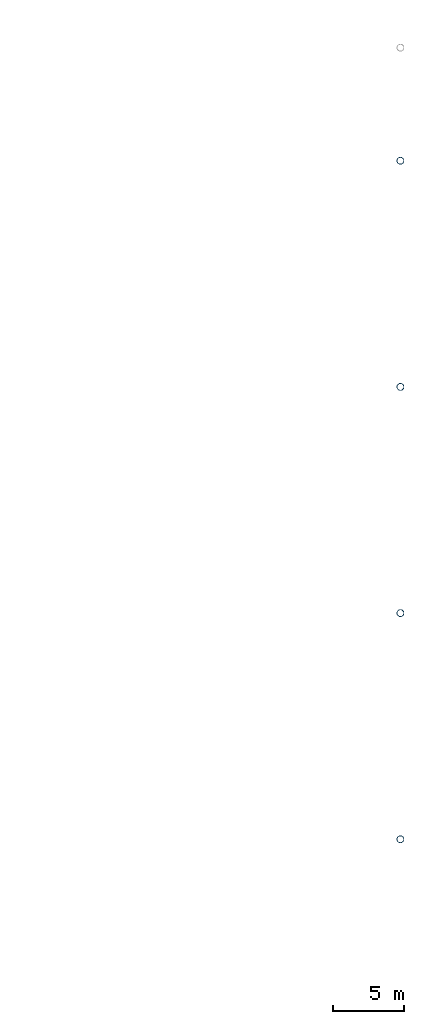
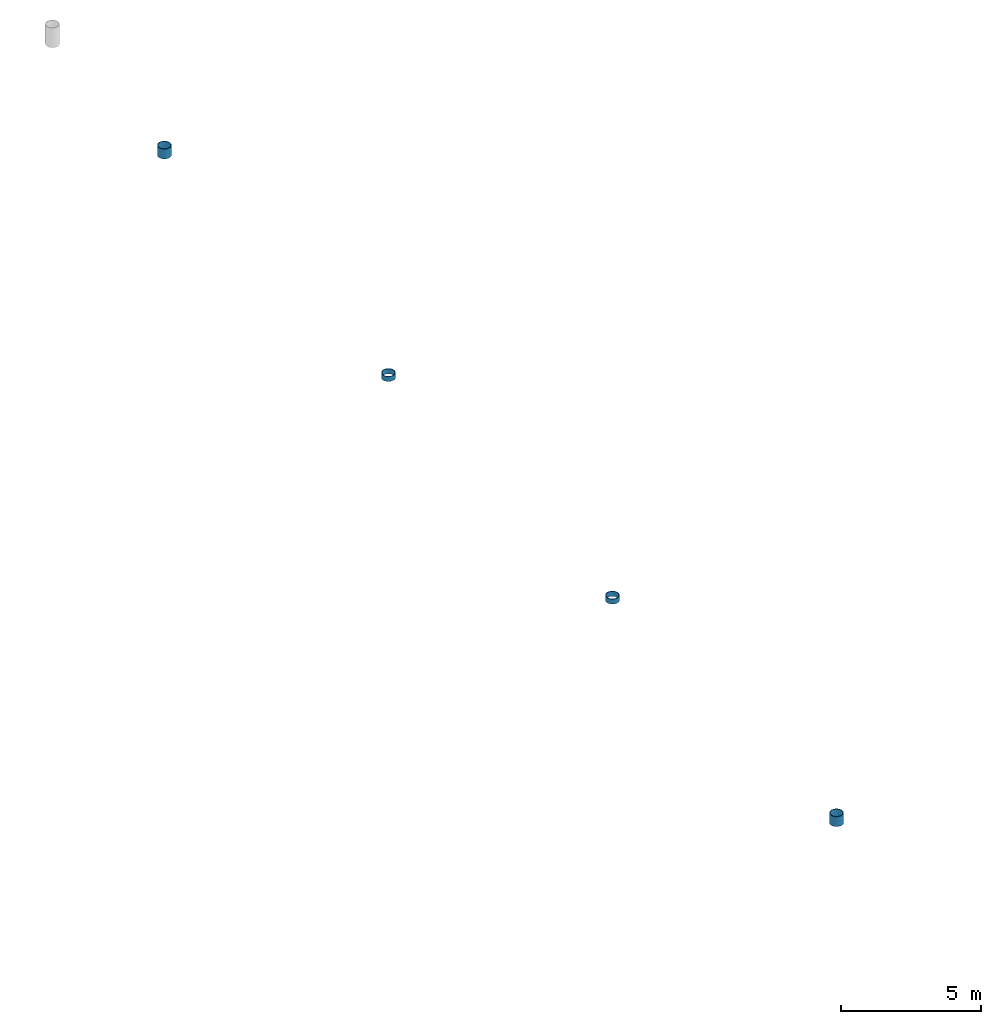
# One storey, part 12 of 41: 4 columns.
"""IFC4 building model written with IfcOpenShell, lengths in metres."""

from ifc_helpers import new_model, si_unit, direction, frame, origin, origin_2d, place, context, subcontext, project, spatial, hollow_circle, extrude, material, material_profile, profile_set, type_object, element, save


model = new_model("IFC4")

# Units and contexts
model_context = context("Model", 3, precision=1e-05, world=origin(), true_north=direction((0.0, 1.0)))
body_context = subcontext(model_context, "Body", "Model", "MODEL_VIEW")
ifc_project = project(units=[si_unit("LENGTHUNIT", "METRE"), si_unit("AREAUNIT", "SQUARE_METRE"), si_unit("VOLUMEUNIT", "CUBIC_METRE"), si_unit("PLANEANGLEUNIT", "RADIAN"), si_unit("MASSUNIT", "GRAM", prefix="KILO")], contexts=[model_context])

# Site, building, storey
site_placement = place(None, origin())
site = spatial("IfcSite", under=ifc_project, at=site_placement, CompositionType="ELEMENT")
building_placement = place(site_placement, origin())
building = spatial("IfcBuilding", under=site, at=building_placement, Name="Haebicheon Civic Stadium", CompositionType="ELEMENT")
storey_placement = place(building_placement, frame((0.0, 0.0, 27.0)))
storey = spatial("IfcBuildingStorey", under=building, at=storey_placement, Name="L07", CompositionType="ELEMENT", Elevation=27.0)

# Columns
ifc_material = material(Name="White painted steel SM490", Category="steel")
ifc_material_profile = material_profile(ifc_material, hollow_circle(Radius=0.25390625, WallThickness=0.02490234375, at=origin_2d()), Name="CHS-508.0x25.0")
ifc_profile_set = profile_set([ifc_material_profile], Name="White painted steel SM490")
column_type = type_object("IfcColumnType", Name="COL-ST-CHS508", PredefinedType="COLUMN", material=ifc_profile_set)
column_1_placement = place(storey_placement, frame((192.0, 72.0, 0.0), z_axis=(0.0, 0.0, 1.0), x_axis=(1.0, 0.0, 0.0)))
element("IfcColumn", 1, at=column_1_placement, inside=storey, type_object=column_type, material=ifc_profile_set, Name="Bowl/canopy support column 192/72 (L07)", PredefinedType="COLUMN", context=body_context, shape_type="SweptSolid", body=[
    extrude(hollow_circle(Radius=0.25390625, WallThickness=0.02490234375, at=origin_2d()), origin(), (0.0, 0.0, 1.0), 0.429931640625),
])
for number, where, z_axis, x_axis, name in (
    (2, (192.0, 88.0, 0.0), (0.0, 0.0, 1.0), (1.0, 0.0, 0.0), "Bowl/canopy support column 192/88 (L07)"),
    (3, (192.0, 104.0, 0.0), (0.0, 0.0, 1.0), (1.0, 0.0, 0.0), "Bowl/canopy support column 192/104 (L07)"),
):
    element("IfcColumn", number, at=place(storey_placement, frame(where, z_axis=z_axis, x_axis=x_axis)), inside=storey, type_object=column_type, material=ifc_profile_set, Name=name, PredefinedType="COLUMN", context=body_context, shape_type="SweptSolid", body=[
        extrude(hollow_circle(Radius=0.25390625, WallThickness=0.02490234375, at=origin_2d()), origin(), (0.0, 0.0, 1.0), 0.218017578125),
    ])
column_2_placement = place(storey_placement, frame((192.0, 120.0, 0.0), z_axis=(0.0, 0.0, 1.0), x_axis=(1.0, 0.0, 0.0)))
element("IfcColumn", 4, at=column_2_placement, inside=storey, type_object=column_type, material=ifc_profile_set, Name="Bowl/canopy support column 192/120 (L07)", PredefinedType="COLUMN", context=body_context, shape_type="SweptSolid", body=[
    extrude(hollow_circle(Radius=0.25390625, WallThickness=0.02490234375, at=origin_2d()), origin(), (0.0, 0.0, 1.0), 0.429931640625),
])

save(model, "model.ifc")
